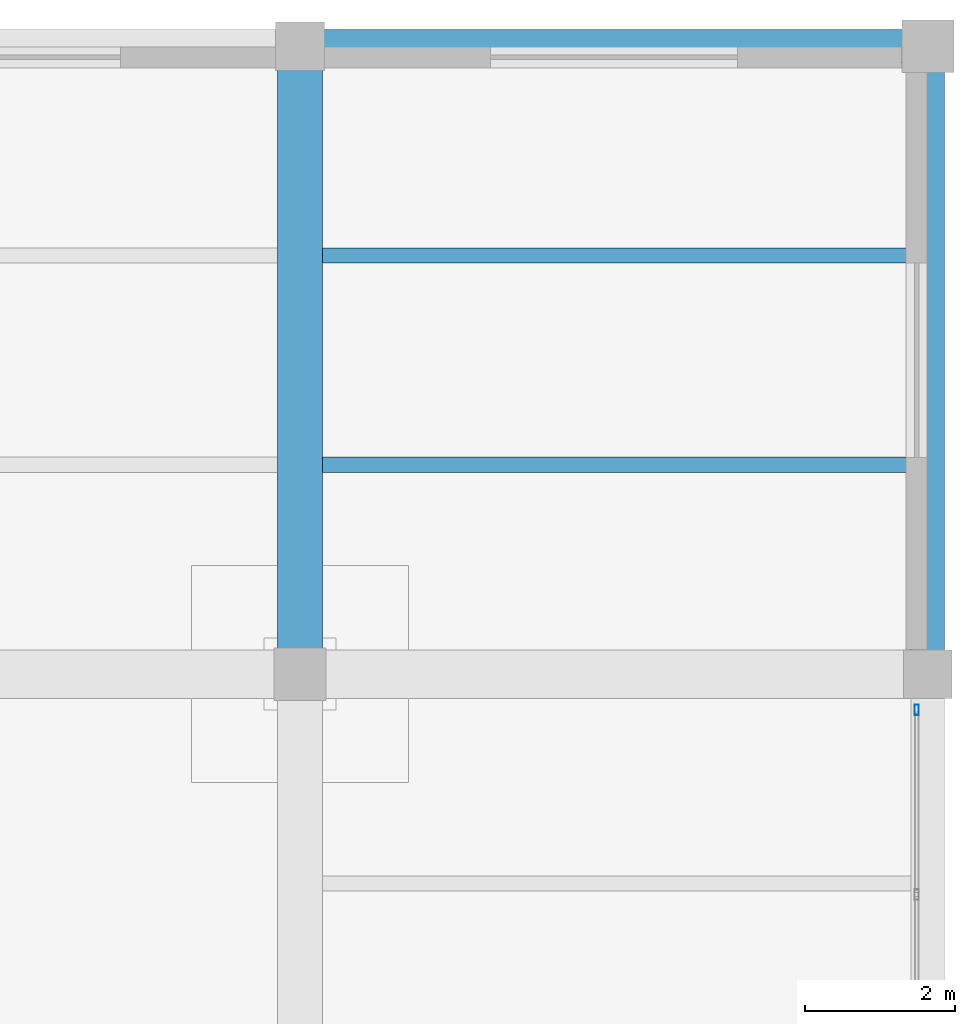
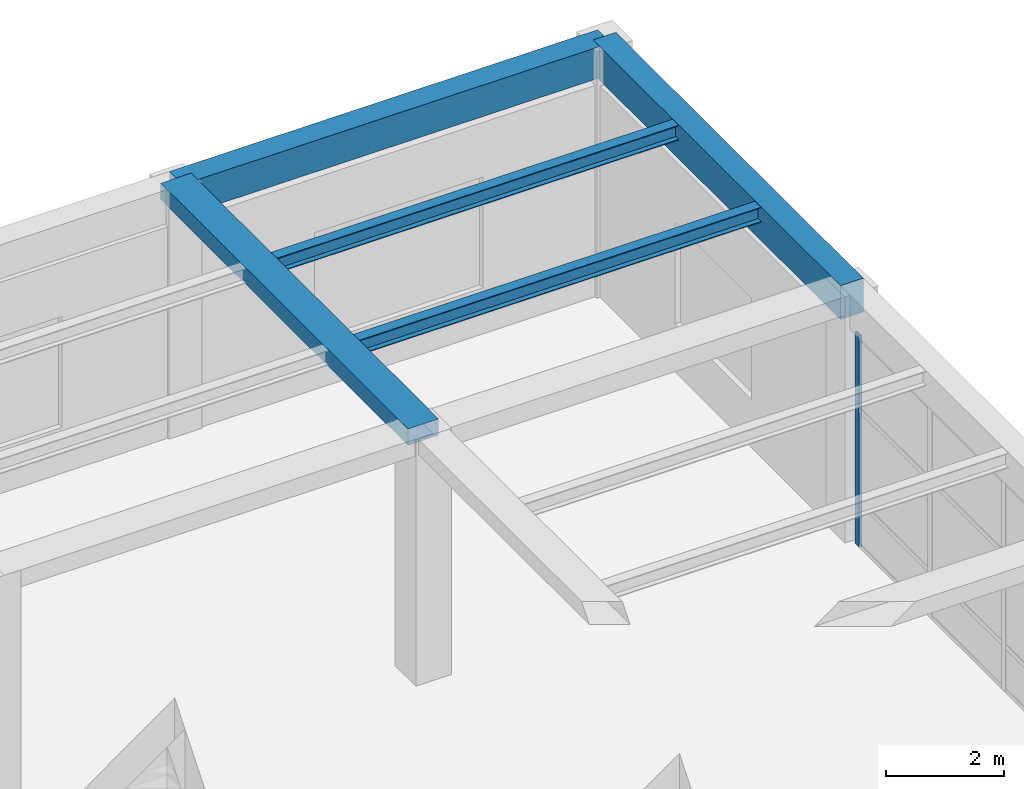
# One storey, part 39 of 65: 5 beams, 1 member, 1 element without a shape of its own.
"""IFC4 building model written with IfcOpenShell, lengths in metres."""

from ifc_helpers import new_model, si_unit, direction, frame, origin, origin_2d, place, context, subcontext, project, spatial, rectangle, hollow_rectangle, i_section, extrude, material, material_profile, profile_set, type_object, element, aggregate, save


model = new_model("IFC4")

# Units and contexts
model_context = context("Model", 3, precision=1e-05, world=origin(), true_north=direction((0.0, 1.0)))
body_context = subcontext(model_context, "Body", "Model", "MODEL_VIEW")
ifc_project = project(units=[si_unit("LENGTHUNIT", "METRE"), si_unit("AREAUNIT", "SQUARE_METRE"), si_unit("VOLUMEUNIT", "CUBIC_METRE"), si_unit("PLANEANGLEUNIT", "RADIAN"), si_unit("MASSUNIT", "GRAM", prefix="KILO")], contexts=[model_context])

# Site, building, storey
site_placement = place(None, origin())
site = spatial("IfcSite", under=ifc_project, at=site_placement, CompositionType="ELEMENT")
building_placement = place(site_placement, origin())
building = spatial("IfcBuilding", under=site, at=building_placement, Name="Almacenes y Pasaje Nevantli", CompositionType="ELEMENT")
storey_placement = place(building_placement, frame((0.0, 0.0, 16.800048828125)))
storey = spatial("IfcBuildingStorey", under=building, at=storey_placement, Name="L04", CompositionType="ELEMENT", Elevation=16.800048828125)

# Beams
ifc_material_1 = material(Name="Concrete C35/45", Category="concrete")
ifc_material_profile_1 = material_profile(ifc_material_1, rectangle(XDim=0.449951171875, YDim=0.64990234375, at=origin_2d()), Name="RC-BM-450x650")
ifc_profile_set_1 = profile_set([ifc_material_profile_1], Name="Concrete C35/45")
beam_type_1 = type_object("IfcBeamType", Name="BM-RC-450x650", PredefinedType="SPANDREL", material=ifc_profile_set_1)
beam_1_placement = place(storey_placement, frame((159.60009765625, 117.60009765625, 4.77490234375), z_axis=(1.0, 0.0, 0.0), x_axis=(0.0, 1.0, 0.0)))
element("IfcBeam", 1, at=beam_1_placement, inside=storey, type_object=beam_type_1, Name="L04 East-West Reinforced Concrete Beam #2992", PredefinedType="SPANDREL", context=body_context, shape_type="SweptSolid", body=[
    extrude(rectangle(XDim=0.449951171875, YDim=0.64990234375, at=origin_2d()), origin(), (0.0, 0.0, 1.0), 8.39990234375),
])
ifc_material_2 = material(Name="Concrete C35/45", Category="concrete")
ifc_material_profile_2 = material_profile(ifc_material_2, rectangle(XDim=0.449951171875, YDim=0.699951171875, at=origin_2d()), Name="RC-BM-450x700")
ifc_profile_set_2 = profile_set([ifc_material_profile_2], Name="Concrete C35/45")
beam_type_2 = type_object("IfcBeamType", Name="BM-RC-450x700", PredefinedType="SPANDREL", material=ifc_profile_set_2)
beam_2_placement = place(storey_placement, frame((168.0, 109.199951171875, 4.75), z_axis=(0.0, 1.0, 0.0), x_axis=(-1.0, 0.0, 0.0)))
element("IfcBeam", 2, at=beam_2_placement, inside=storey, type_object=beam_type_2, Name="L04 North-South Reinforced Concrete Beam #3228", PredefinedType="SPANDREL", context=body_context, shape_type="SweptSolid", body=[
    extrude(rectangle(XDim=0.449951171875, YDim=0.699951171875, at=origin_2d()), origin(), (0.0, 0.0, 1.0), 8.400146484375),
])
ifc_material_3 = material(Name="Concrete C35/45", Category="concrete")
ifc_material_profile_3 = material_profile(ifc_material_3, rectangle(XDim=0.60009765625, YDim=0.340087890625, at=origin_2d()), Name="RC-BM-600x340")
ifc_profile_set_3 = profile_set([ifc_material_profile_3], Name="Concrete C35/45")
beam_type_3 = type_object("IfcBeamType", Name="BM-RC-600x340", PredefinedType="BEAM", material=ifc_profile_set_3)
beam_3_placement = place(storey_placement, frame((159.60009765625, 109.199951171875, 4.929931640625), z_axis=(0.0, 1.0, 0.0), x_axis=(-1.0, 0.0, 0.0)))
element("IfcBeam", 3, at=beam_3_placement, inside=storey, type_object=beam_type_3, Name="L04 North-South Reinforced Concrete Beam #3214", PredefinedType="BEAM", context=body_context, shape_type="SweptSolid", body=[
    extrude(rectangle(XDim=0.60009765625, YDim=0.340087890625, at=origin_2d()), origin(), (0.0, 0.0, 1.0), 8.400146484375),
])
ifc_material_4 = material(Name="Steel ASTM A992", Category="steel")
ifc_material_profile_4 = material_profile(ifc_material_4, i_section(OverallWidth=0.205078125, OverallDepth=0.31005859375, WebThickness=0.009521484375, FlangeThickness=0.016357421875, at=origin_2d()), Name="IR 305x74.4")
ifc_profile_set_4 = profile_set([ifc_material_profile_4], Name="Steel ASTM A992")
beam_type_4 = type_object("IfcBeamType", Name="BM-STL-IR-305x74p4", PredefinedType="JOIST", material=ifc_profile_set_4)
for number, where, z_axis, x_axis, name in (
    (4, (159.89990234375, 112.0, 4.93701171875), (1.0, 0.0, 0.0), (0.0, 1.0, 0.0), "L04 Secondary Steel Floor Joist #1351"),
    (5, (159.89990234375, 114.800048828125, 4.93701171875), (1.0, 0.0, 0.0), (0.0, 1.0, 0.0), "L04 Secondary Steel Floor Joist #1352"),
):
    element("IfcBeam", number, at=place(storey_placement, frame(where, z_axis=z_axis, x_axis=x_axis)), inside=storey, type_object=beam_type_4, Name=name, PredefinedType="JOIST", context=body_context, shape_type="SweptSolid", body=[
        extrude(i_section(OverallWidth=0.205078125, OverallDepth=0.31005859375, WebThickness=0.009521484375, FlangeThickness=0.016357421875, at=origin_2d()), origin(), (0.0, 0.0, 1.0), 7.875),
    ])

# Curtain wall, member
ifc_material_5 = material(Name="Thermally Broken Aluminium and Low-E Glass", Category="aluminium")
curtain_wall_type = type_object("IfcCurtainWallType", Name="CW-UNIT-PODIUM", PredefinedType="USERDEFINED", material=ifc_material_5)
curtain_wall_placement = place(storey_placement, origin())
curtain_wall = element("IfcCurtainWall", 6, at=curtain_wall_placement, inside=storey, type_object=curtain_wall_type, Name="L04 East Office Wing Curtain Wall Bay 13", ObjectType="UNITIZED CURTAIN WALL", PredefinedType="USERDEFINED")
ifc_material_6 = material(Name="Thermally Broken Anodized Aluminium", Category="aluminium")
ifc_material_profile_5 = material_profile(ifc_material_6, hollow_rectangle(XDim=0.054931640625, YDim=0.139892578125, WallThickness=0.00341796875, at=origin_2d()), Name="ALU-MUL-55x140")
ifc_profile_set_5 = profile_set([ifc_material_profile_5], Name="Thermally Broken Anodized Aluminium")
member_type = type_object("IfcMemberType", Name="CW-MUL-160", PredefinedType="MULLION", material=ifc_profile_set_5)
member_placement = place(storey_placement, frame((167.85009765625, 108.722412109375, 0.0), z_axis=(0.0, 0.0, 1.0), x_axis=(-1.0, 0.0, 0.0)))
member = element("IfcMember", 7, at=member_placement, type_object=member_type, Name="CW-L04-082 mullion 4", PredefinedType="MULLION", context=body_context, shape_type="SweptSolid", body=[
    extrude(hollow_rectangle(XDim=0.054931640625, YDim=0.139892578125, WallThickness=0.00341796875, at=origin_2d()), origin(), (0.0, 0.0, 1.0), 4.3798828125),
])
aggregate(curtain_wall, [member])

save(model, "model.ifc")
